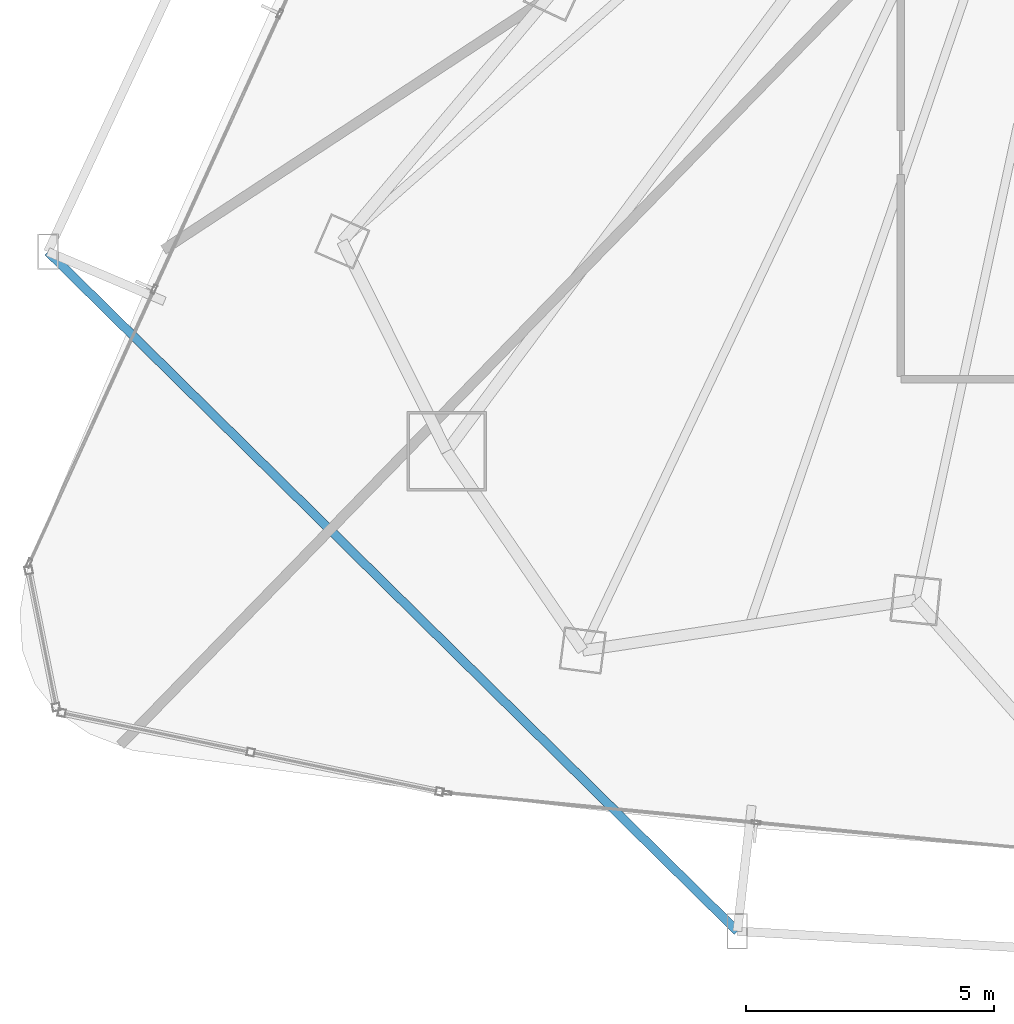
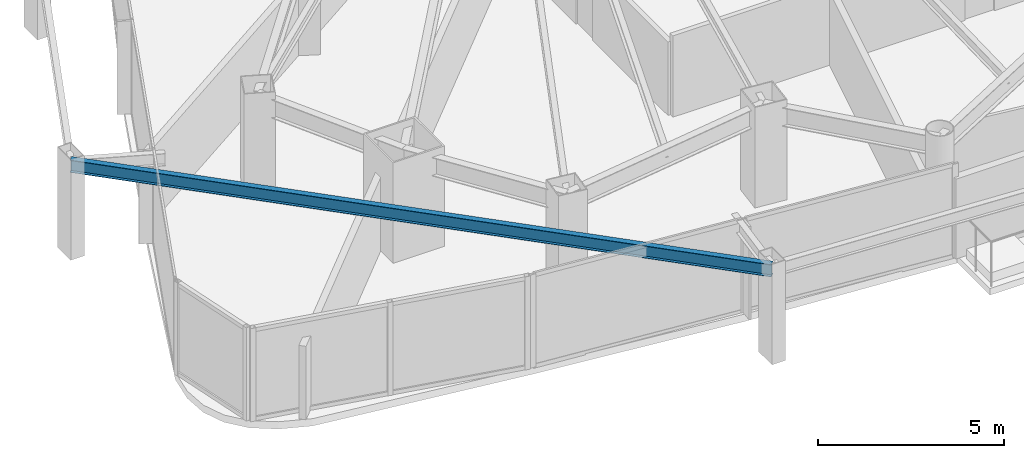
# One storey, part 3 of 33: 1 beam.
"""IFC4 building model written with IfcOpenShell, lengths in metres."""

import ifcopenshell
import ifcopenshell.guid

model = None  # the IFC model being written
_history = None  # IfcOwnerHistory: only IFC2X3 demands one
_inside = {}  # id of a spatial element -> (the spatial element, [elements in it])
_under = {}  # id of a project, library or spatial element -> (it, [spatial elements below it])
_declared = {}  # id of a project -> (the project, [libraries it declares])
_typed = {}  # id of a type object -> (the type object, [elements of that type])
_made_of = {}  # id of a material, layer set ... -> (it, [elements and type objects made of it])


def new_model(schema):
    """Start an empty IFC model of exactly this schema.

    Asked for "IFC4X3", IfcOpenShell would pick the latest addendum, in which some entities
    have other attributes; the version numbers below select the first issue.
    IFC2X3 requires an IfcOwnerHistory on every rooted entity: one is made here for all.
    """
    global model, _history
    if schema == "IFC4X3":
        model = ifcopenshell.file(schema_version=(4, 3, 0, 0))
    else:
        model = ifcopenshell.file(schema=schema)
    _inside.clear()
    _under.clear()
    _declared.clear()
    _typed.clear()
    _made_of.clear()
    _history = None
    if model.schema == "IFC2X3":
        org = make("IfcOrganization", Name="unknown")
        user = make(
            "IfcPersonAndOrganization",
            ThePerson=make("IfcPerson", FamilyName="unknown"),
            TheOrganization=org,
        )
        app = make(
            "IfcApplication",
            ApplicationDeveloper=org,
            Version="unknown",
            ApplicationFullName="unknown",
            ApplicationIdentifier="unknown",
        )
        _history = make(
            "IfcOwnerHistory",
            OwningUser=user,
            OwningApplication=app,
            ChangeAction="ADDED",
            CreationDate=0,
        )
    return model


def make(cls, **values):
    """One entity of the class cls with the attributes given. An attribute that is None is left unset."""
    return model.create_entity(
        cls, **{name: value for name, value in values.items() if value is not None}
    )


def rooted(cls, **values):
    """An entity with a GlobalId (a new one), such as an element, a storey or a relation."""
    return make(cls, GlobalId=ifcopenshell.guid.new(), OwnerHistory=_history, **values)


def si_unit(unit_type, name, prefix=None):
    """IfcSIUnit, for example si_unit("LENGTHUNIT", "METRE", prefix="MILLI")."""
    return make("IfcSIUnit", UnitType=unit_type, Prefix=prefix, Name=name)


def assignment(units):
    """IfcUnitAssignment: the units of a project."""
    return None if units is None else make("IfcUnitAssignment", Units=units)


def point(xyz):
    """IfcCartesianPoint."""
    return None if xyz is None else make("IfcCartesianPoint", Coordinates=xyz)


def direction(xyz):
    """IfcDirection."""
    return None if xyz is None else make("IfcDirection", DirectionRatios=xyz)


def frame(location, z_axis=None, x_axis=None):
    """IfcAxis2Placement3D, a coordinate frame: its origin and axes. An axis left out is left unset."""
    return make(
        "IfcAxis2Placement3D",
        Location=point(location),
        Axis=direction(z_axis),
        RefDirection=direction(x_axis),
    )


def frame_2d(location, x_axis=None):
    """IfcAxis2Placement2D, a coordinate frame in the plane: its origin and x axis."""
    return make(
        "IfcAxis2Placement2D", Location=point(location), RefDirection=direction(x_axis)
    )


def origin():
    """The frame at (0, 0, 0) with its axes left unset."""
    return frame((0.0, 0.0, 0.0))


def origin_2d():
    """The frame at (0, 0) in the plane with its x axis left unset."""
    return frame_2d((0.0, 0.0))


def place(relative_to, where):
    """IfcLocalPlacement: puts the frame where relative to a parent placement (None: the world)."""
    return make(
        "IfcLocalPlacement", PlacementRelTo=relative_to, RelativePlacement=where
    )


def context(
    kind, dimensions, precision=None, world=None, true_north=None, identifier=None
):
    """IfcGeometricRepresentationContext, for example the 3D "Model" context."""
    return make(
        "IfcGeometricRepresentationContext",
        ContextIdentifier=identifier,
        ContextType=kind,
        CoordinateSpaceDimension=dimensions,
        Precision=precision,
        WorldCoordinateSystem=world,
        TrueNorth=true_north,
    )


def subcontext(parent, identifier, kind, view, scale=None):
    """IfcGeometricRepresentationSubContext, for example "Body" below "Model"."""
    return make(
        "IfcGeometricRepresentationSubContext",
        ContextIdentifier=identifier,
        ContextType=kind,
        ParentContext=parent,
        TargetScale=scale,
        TargetView=view,
    )


def project(units=None, contexts=None):
    """IfcProject with its units and contexts."""
    return rooted(
        "IfcProject",
        Name="project",
        RepresentationContexts=contexts,
        UnitsInContext=assignment(units),
    )


def spatial(cls, under=None, at=None, **own):
    """A site, building, storey or space (cls), placed at a placement, below another one or the project."""
    s = rooted(cls, ObjectPlacement=at, **own)
    if under is not None:
        _under.setdefault(under.id(), (under, []))[1].append(s)
    return s


def profile(cls, at=None, kind="AREA", **sizes):
    """A parametric profile (cls). Its sizes go by their IFC names, for example OverallWidth=200.0."""
    return make(cls, ProfileType=kind, Position=at, **sizes)


def i_section(**sizes):
    """IfcIShapeProfileDef."""
    return profile("IfcIShapeProfileDef", **sizes)


def extrude(swept, where, along, depth):
    """IfcExtrudedAreaSolid: the profile swept, set in the frame where, extruded along a direction by depth."""
    return make(
        "IfcExtrudedAreaSolid",
        SweptArea=swept,
        Position=where,
        ExtrudedDirection=direction(along),
        Depth=depth,
    )


def shape(context_of_items, identifier, shape_type, items):
    """IfcShapeRepresentation: the items that make up one representation, for example the "Body"."""
    return make(
        "IfcShapeRepresentation",
        ContextOfItems=context_of_items,
        RepresentationIdentifier=identifier,
        RepresentationType=shape_type,
        Items=items,
    )


def material(Name=None, Category=None):
    """IfcMaterial."""
    return make("IfcMaterial", Name=Name, Category=Category)


def material_profile(
    of_material, cross_section, Name=None, Category=None, Priority=None
):
    """IfcMaterialProfile: a cross section and its material."""
    return make(
        "IfcMaterialProfile",
        Name=Name,
        Material=of_material,
        Profile=cross_section,
        Priority=Priority,
        Category=Category,
    )


def profile_set(profiles, Name=None, composite=None):
    """IfcMaterialProfileSet."""
    return make(
        "IfcMaterialProfileSet",
        Name=Name,
        MaterialProfiles=profiles,
        CompositeProfile=composite,
    )


def made_of(thing, what):
    """Note that an element or type object is made of a material, layer set ...; save() writes the relation."""
    if what is not None:
        _made_of.setdefault(what.id(), (what, []))[1].append(thing)
    return thing


def type_object(cls, material=None, **own):
    """A type object (cls), such as IfcWallType, which elements share."""
    return made_of(rooted(cls, **own), material)


def element(
    cls,
    number,
    at=None,
    inside=None,
    cuts=None,
    type_object=None,
    material=None,
    context=None,
    identifier="Body",
    shape_type=None,
    held_by="IfcProductDefinitionShape",
    body=None,
    shapes=None,
    **own,
):
    """One element of the class cls, such as IfcWall. Its Tag is "e" and its number.

    at: its placement. inside: the storey or other place that contains it. cuts: it is an
    opening in that element (IfcRelVoidsElement). A single representation is given by context,
    identifier, shape_type and body (its items); several are given by shapes. held_by: the class
    of the entity that holds the representations. save() writes the other relations.
    """
    e = rooted(cls, Tag="e%d" % number, ObjectPlacement=at, **own)
    if body is not None:
        shapes = [shape(context, identifier, shape_type, body)]
    if shapes is not None:
        e.Representation = make(held_by, Representations=shapes)
    if inside is not None:
        _inside.setdefault(inside.id(), (inside, []))[1].append(e)
    if cuts is not None:
        rooted(
            "IfcRelVoidsElement", RelatingBuildingElement=cuts, RelatedOpeningElement=e
        )
    if type_object is not None:
        _typed.setdefault(type_object.id(), (type_object, []))[1].append(e)
    return made_of(e, material)


def aggregate(whole, parts):
    """IfcRelAggregates: a whole, such as a stair, and the parts it consists of."""
    return rooted("IfcRelAggregates", RelatingObject=whole, RelatedObjects=parts)


def save(model, path):
    """Write the relations noted so far, then the file.

    IfcRelAggregates (storeys below a building ...), IfcRelContainedInSpatialStructure (elements
    in a storey), IfcRelDefinesByType, IfcRelAssociatesMaterial and IfcRelDeclares: one each for
    every whole, place, type object, material and project.
    """
    for whole, parts in _under.values():
        aggregate(whole, parts)
    for where, things in _inside.values():
        rooted(
            "IfcRelContainedInSpatialStructure",
            RelatedElements=things,
            RelatingStructure=where,
        )
    for kind, things in _typed.values():
        rooted("IfcRelDefinesByType", RelatedObjects=things, RelatingType=kind)
    for what, things in _made_of.values():
        rooted("IfcRelAssociatesMaterial", RelatedObjects=things, RelatingMaterial=what)
    for by, libraries in _declared.values():
        rooted("IfcRelDeclares", RelatingContext=by, RelatedDefinitions=libraries)
    model.write(path)


model = new_model("IFC4")

# Units and contexts
model_context = context("Model", 3, precision=1e-05, world=origin(), true_north=direction((0.0, 1.0)))
body_context = subcontext(model_context, "Body", "Model", "MODEL_VIEW")
ifc_project = project(units=[si_unit("LENGTHUNIT", "METRE"), si_unit("AREAUNIT", "SQUARE_METRE"), si_unit("VOLUMEUNIT", "CUBIC_METRE"), si_unit("PLANEANGLEUNIT", "RADIAN"), si_unit("MASSUNIT", "GRAM", prefix="KILO")], contexts=[model_context])

# Site, building, storey
site_placement = place(None, origin())
site = spatial("IfcSite", under=ifc_project, at=site_placement, CompositionType="ELEMENT")
building_placement = place(site_placement, origin())
building = spatial("IfcBuilding", under=site, at=building_placement, Name="Orvanel Arch Residences", CompositionType="ELEMENT")
storey_placement = place(building_placement, frame((0.0, 0.0, 84.050048828125)))
storey = spatial("IfcBuildingStorey", under=building, at=storey_placement, Name="L23", CompositionType="ELEMENT", Elevation=84.050048828125)

# Beam
ifc_material = material(Name="Structural steel AS/NZS 3679.1 Grade 300 (300 MPa)", Category="steel")
ifc_material_profile = material_profile(ifc_material, i_section(OverallWidth=0.177978515625, OverallDepth=0.406005859375, WebThickness=0.0078125, FlangeThickness=0.0126953125, at=origin_2d()), Name="410UB59.7")
ifc_profile_set = profile_set([ifc_material_profile], Name="Structural steel AS/NZS 3679.1 Grade 300 (300 MPa)")
beam_type = type_object("IfcBeamType", Name="OB-410UB-EXT", PredefinedType="SPANDREL", material=ifc_profile_set)
beam_placement = place(storey_placement, frame((6.1650390625, 14.3720703125, 2.85693359375), z_axis=(0.71223293523, -0.70194319284, 0.0), x_axis=(0.70194319284, 0.71223293523, 0.0)))
element("IfcBeam", 1, at=beam_placement, inside=storey, type_object=beam_type, Name="L23 Outer Perimeter Floor Ring Beam 04", PredefinedType="SPANDREL", context=body_context, shape_type="SweptSolid", body=[
    extrude(i_section(OverallWidth=0.177978515625, OverallDepth=0.406005859375, WebThickness=0.0078125, FlangeThickness=0.0126953125, at=origin_2d()), origin(), (0.0, 0.0, 1.0), 19.503173828125),
])

save(model, "model.ifc")
